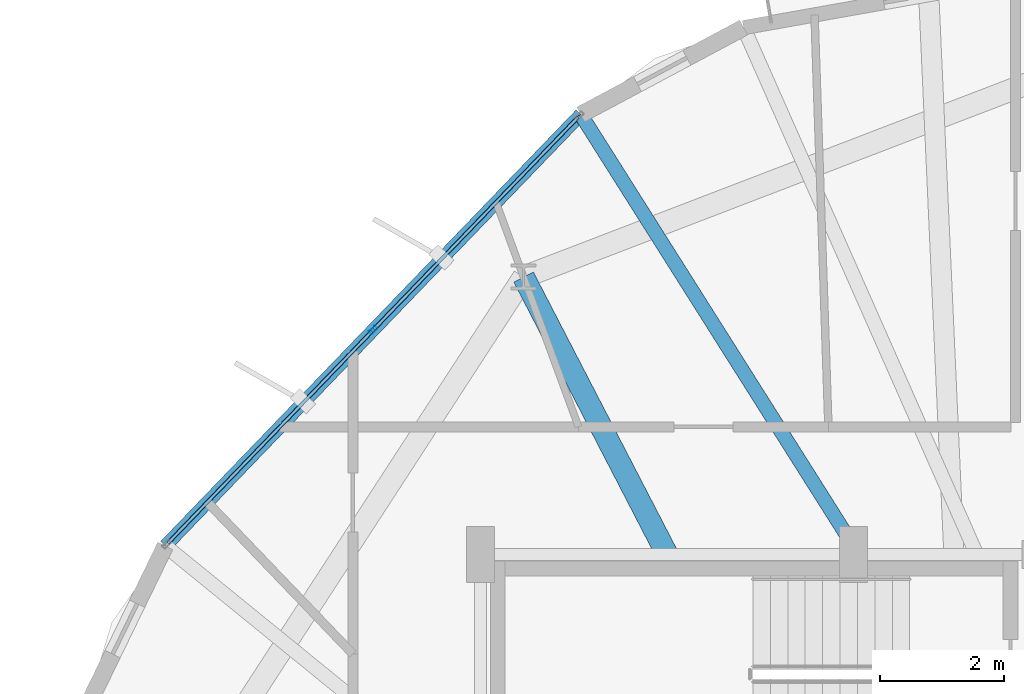
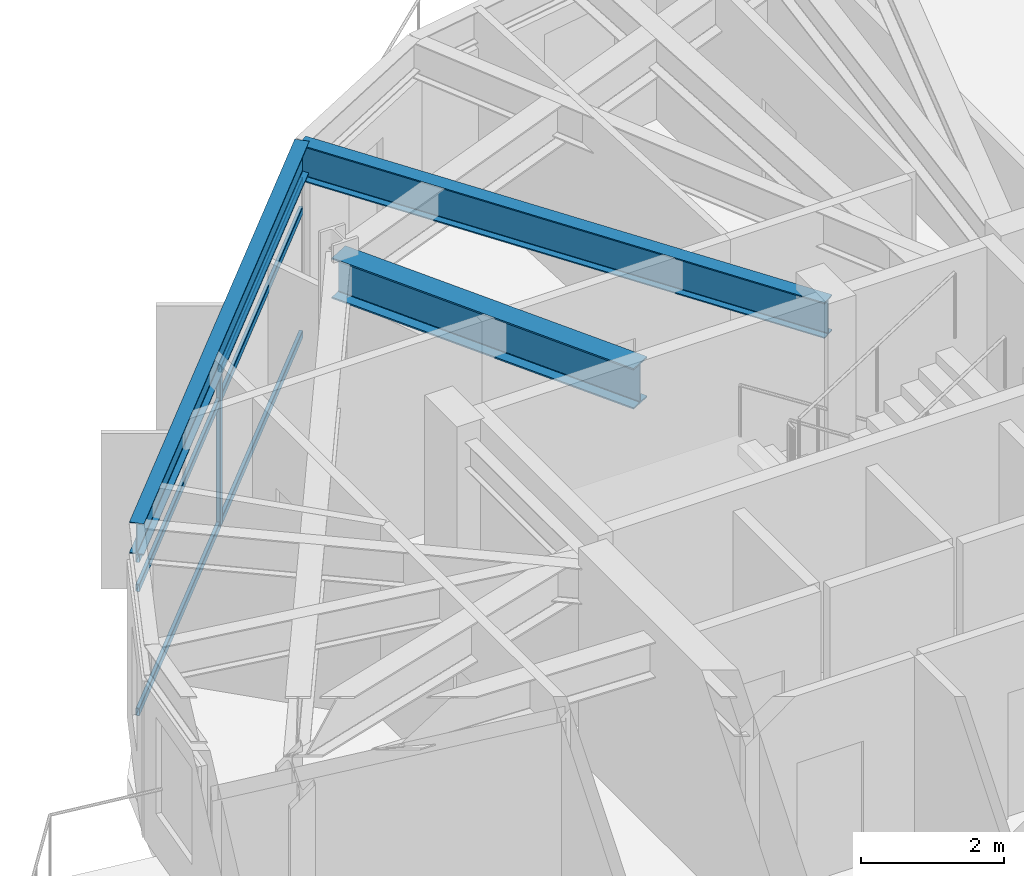
# One storey, part 16 of 28: 7 members, 3 beams, 1 element without a shape of its own.
"""IFC4 building model written with IfcOpenShell, lengths in metres."""

import ifcopenshell
import ifcopenshell.guid

model = None  # the IFC model being written
_history = None  # IfcOwnerHistory: only IFC2X3 demands one
_inside = {}  # id of a spatial element -> (the spatial element, [elements in it])
_under = {}  # id of a project, library or spatial element -> (it, [spatial elements below it])
_declared = {}  # id of a project -> (the project, [libraries it declares])
_typed = {}  # id of a type object -> (the type object, [elements of that type])
_made_of = {}  # id of a material, layer set ... -> (it, [elements and type objects made of it])


def new_model(schema):
    """Start an empty IFC model of exactly this schema.

    Asked for "IFC4X3", IfcOpenShell would pick the latest addendum, in which some entities
    have other attributes; the version numbers below select the first issue.
    IFC2X3 requires an IfcOwnerHistory on every rooted entity: one is made here for all.
    """
    global model, _history
    if schema == "IFC4X3":
        model = ifcopenshell.file(schema_version=(4, 3, 0, 0))
    else:
        model = ifcopenshell.file(schema=schema)
    _inside.clear()
    _under.clear()
    _declared.clear()
    _typed.clear()
    _made_of.clear()
    _history = None
    if model.schema == "IFC2X3":
        org = make("IfcOrganization", Name="unknown")
        user = make(
            "IfcPersonAndOrganization",
            ThePerson=make("IfcPerson", FamilyName="unknown"),
            TheOrganization=org,
        )
        app = make(
            "IfcApplication",
            ApplicationDeveloper=org,
            Version="unknown",
            ApplicationFullName="unknown",
            ApplicationIdentifier="unknown",
        )
        _history = make(
            "IfcOwnerHistory",
            OwningUser=user,
            OwningApplication=app,
            ChangeAction="ADDED",
            CreationDate=0,
        )
    return model


def make(cls, **values):
    """One entity of the class cls with the attributes given. An attribute that is None is left unset."""
    return model.create_entity(
        cls, **{name: value for name, value in values.items() if value is not None}
    )


def rooted(cls, **values):
    """An entity with a GlobalId (a new one), such as an element, a storey or a relation."""
    return make(cls, GlobalId=ifcopenshell.guid.new(), OwnerHistory=_history, **values)


def si_unit(unit_type, name, prefix=None):
    """IfcSIUnit, for example si_unit("LENGTHUNIT", "METRE", prefix="MILLI")."""
    return make("IfcSIUnit", UnitType=unit_type, Prefix=prefix, Name=name)


def assignment(units):
    """IfcUnitAssignment: the units of a project."""
    return None if units is None else make("IfcUnitAssignment", Units=units)


def point(xyz):
    """IfcCartesianPoint."""
    return None if xyz is None else make("IfcCartesianPoint", Coordinates=xyz)


def direction(xyz):
    """IfcDirection."""
    return None if xyz is None else make("IfcDirection", DirectionRatios=xyz)


def frame(location, z_axis=None, x_axis=None):
    """IfcAxis2Placement3D, a coordinate frame: its origin and axes. An axis left out is left unset."""
    return make(
        "IfcAxis2Placement3D",
        Location=point(location),
        Axis=direction(z_axis),
        RefDirection=direction(x_axis),
    )


def frame_2d(location, x_axis=None):
    """IfcAxis2Placement2D, a coordinate frame in the plane: its origin and x axis."""
    return make(
        "IfcAxis2Placement2D", Location=point(location), RefDirection=direction(x_axis)
    )


def origin():
    """The frame at (0, 0, 0) with its axes left unset."""
    return frame((0.0, 0.0, 0.0))


def origin_2d():
    """The frame at (0, 0) in the plane with its x axis left unset."""
    return frame_2d((0.0, 0.0))


def place(relative_to, where):
    """IfcLocalPlacement: puts the frame where relative to a parent placement (None: the world)."""
    return make(
        "IfcLocalPlacement", PlacementRelTo=relative_to, RelativePlacement=where
    )


def context(
    kind, dimensions, precision=None, world=None, true_north=None, identifier=None
):
    """IfcGeometricRepresentationContext, for example the 3D "Model" context."""
    return make(
        "IfcGeometricRepresentationContext",
        ContextIdentifier=identifier,
        ContextType=kind,
        CoordinateSpaceDimension=dimensions,
        Precision=precision,
        WorldCoordinateSystem=world,
        TrueNorth=true_north,
    )


def subcontext(parent, identifier, kind, view, scale=None):
    """IfcGeometricRepresentationSubContext, for example "Body" below "Model"."""
    return make(
        "IfcGeometricRepresentationSubContext",
        ContextIdentifier=identifier,
        ContextType=kind,
        ParentContext=parent,
        TargetScale=scale,
        TargetView=view,
    )


def project(units=None, contexts=None):
    """IfcProject with its units and contexts."""
    return rooted(
        "IfcProject",
        Name="project",
        RepresentationContexts=contexts,
        UnitsInContext=assignment(units),
    )


def spatial(cls, under=None, at=None, **own):
    """A site, building, storey or space (cls), placed at a placement, below another one or the project."""
    s = rooted(cls, ObjectPlacement=at, **own)
    if under is not None:
        _under.setdefault(under.id(), (under, []))[1].append(s)
    return s


def profile(cls, at=None, kind="AREA", **sizes):
    """A parametric profile (cls). Its sizes go by their IFC names, for example OverallWidth=200.0."""
    return make(cls, ProfileType=kind, Position=at, **sizes)


def hollow_rectangle(**sizes):
    """IfcRectangleHollowProfileDef."""
    return profile("IfcRectangleHollowProfileDef", **sizes)


def i_section(**sizes):
    """IfcIShapeProfileDef."""
    return profile("IfcIShapeProfileDef", **sizes)


def extrude(swept, where, along, depth):
    """IfcExtrudedAreaSolid: the profile swept, set in the frame where, extruded along a direction by depth."""
    return make(
        "IfcExtrudedAreaSolid",
        SweptArea=swept,
        Position=where,
        ExtrudedDirection=direction(along),
        Depth=depth,
    )


def shape(context_of_items, identifier, shape_type, items):
    """IfcShapeRepresentation: the items that make up one representation, for example the "Body"."""
    return make(
        "IfcShapeRepresentation",
        ContextOfItems=context_of_items,
        RepresentationIdentifier=identifier,
        RepresentationType=shape_type,
        Items=items,
    )


def material(Name=None, Category=None):
    """IfcMaterial."""
    return make("IfcMaterial", Name=Name, Category=Category)


def layer(
    of_material, thickness, ventilated=None, Name=None, Category=None, Priority=None
):
    """IfcMaterialLayer: one layer of a wall or slab, of a material (None: an air gap)."""
    return make(
        "IfcMaterialLayer",
        Material=of_material,
        LayerThickness=thickness,
        IsVentilated=ventilated,
        Name=Name,
        Category=Category,
        Priority=Priority,
    )


def layer_set(layers, Name=None):
    """IfcMaterialLayerSet."""
    return make("IfcMaterialLayerSet", MaterialLayers=layers, LayerSetName=Name)


def material_profile(
    of_material, cross_section, Name=None, Category=None, Priority=None
):
    """IfcMaterialProfile: a cross section and its material."""
    return make(
        "IfcMaterialProfile",
        Name=Name,
        Material=of_material,
        Profile=cross_section,
        Priority=Priority,
        Category=Category,
    )


def profile_set(profiles, Name=None, composite=None):
    """IfcMaterialProfileSet."""
    return make(
        "IfcMaterialProfileSet",
        Name=Name,
        MaterialProfiles=profiles,
        CompositeProfile=composite,
    )


def made_of(thing, what):
    """Note that an element or type object is made of a material, layer set ...; save() writes the relation."""
    if what is not None:
        _made_of.setdefault(what.id(), (what, []))[1].append(thing)
    return thing


def type_object(cls, material=None, **own):
    """A type object (cls), such as IfcWallType, which elements share."""
    return made_of(rooted(cls, **own), material)


def element(
    cls,
    number,
    at=None,
    inside=None,
    cuts=None,
    type_object=None,
    material=None,
    context=None,
    identifier="Body",
    shape_type=None,
    held_by="IfcProductDefinitionShape",
    body=None,
    shapes=None,
    **own,
):
    """One element of the class cls, such as IfcWall. Its Tag is "e" and its number.

    at: its placement. inside: the storey or other place that contains it. cuts: it is an
    opening in that element (IfcRelVoidsElement). A single representation is given by context,
    identifier, shape_type and body (its items); several are given by shapes. held_by: the class
    of the entity that holds the representations. save() writes the other relations.
    """
    e = rooted(cls, Tag="e%d" % number, ObjectPlacement=at, **own)
    if body is not None:
        shapes = [shape(context, identifier, shape_type, body)]
    if shapes is not None:
        e.Representation = make(held_by, Representations=shapes)
    if inside is not None:
        _inside.setdefault(inside.id(), (inside, []))[1].append(e)
    if cuts is not None:
        rooted(
            "IfcRelVoidsElement", RelatingBuildingElement=cuts, RelatedOpeningElement=e
        )
    if type_object is not None:
        _typed.setdefault(type_object.id(), (type_object, []))[1].append(e)
    return made_of(e, material)


def aggregate(whole, parts):
    """IfcRelAggregates: a whole, such as a stair, and the parts it consists of."""
    return rooted("IfcRelAggregates", RelatingObject=whole, RelatedObjects=parts)


def save(model, path):
    """Write the relations noted so far, then the file.

    IfcRelAggregates (storeys below a building ...), IfcRelContainedInSpatialStructure (elements
    in a storey), IfcRelDefinesByType, IfcRelAssociatesMaterial and IfcRelDeclares: one each for
    every whole, place, type object, material and project.
    """
    for whole, parts in _under.values():
        aggregate(whole, parts)
    for where, things in _inside.values():
        rooted(
            "IfcRelContainedInSpatialStructure",
            RelatedElements=things,
            RelatingStructure=where,
        )
    for kind, things in _typed.values():
        rooted("IfcRelDefinesByType", RelatedObjects=things, RelatingType=kind)
    for what, things in _made_of.values():
        rooted("IfcRelAssociatesMaterial", RelatedObjects=things, RelatingMaterial=what)
    for by, libraries in _declared.values():
        rooted("IfcRelDeclares", RelatingContext=by, RelatedDefinitions=libraries)
    model.write(path)


model = new_model("IFC4")

# Units and contexts
model_context = context("Model", 3, precision=1e-05, world=origin(), true_north=direction((0.0, 1.0)))
body_context = subcontext(model_context, "Body", "Model", "MODEL_VIEW")
ifc_project = project(units=[si_unit("LENGTHUNIT", "METRE"), si_unit("AREAUNIT", "SQUARE_METRE"), si_unit("VOLUMEUNIT", "CUBIC_METRE"), si_unit("PLANEANGLEUNIT", "RADIAN"), si_unit("MASSUNIT", "GRAM", prefix="KILO")], contexts=[model_context])

# Site, building, storey
site_placement = place(None, origin())
site = spatial("IfcSite", under=ifc_project, at=site_placement, CompositionType="ELEMENT")
building_placement = place(site_placement, origin())
building = spatial("IfcBuilding", under=site, at=building_placement, Name="Soratama Intermodal Tower", CompositionType="ELEMENT")
storey_placement = place(building_placement, frame((0.0, 0.0, 205.0)))
storey = spatial("IfcBuildingStorey", under=building, at=storey_placement, Name="L51", CompositionType="ELEMENT", Elevation=205.0)

# Beams
ifc_material_1 = material(Name="Structural steel ASTM A992 Grade 50", Category="steel")
ifc_material_profile_1 = material_profile(ifc_material_1, i_section(OverallWidth=0.35498046875, OverallDepth=0.695068359375, WebThickness=0.015380859375, FlangeThickness=0.02490234375, FilletRadius=0.01611328125, at=origin_2d()), Name="W27X146")
ifc_profile_set_1 = profile_set([ifc_material_profile_1], Name="Structural steel ASTM A992 Grade 50")
beam_type_1 = type_object("IfcBeamType", Name="BM-RING-W27X146", PredefinedType="BEAM", material=ifc_profile_set_1)
beam_1_placement = place(storey_placement, frame((35.60009765625, 35.0, 2.952392578125), z_axis=(-0.459552673174, 0.888150516849, 0.0), x_axis=(-0.888150516849, -0.459552673174, 0.0)))
element("IfcBeam", 1, at=beam_1_placement, inside=storey, type_object=beam_type_1, Name="BM-L51-RAD-04", PredefinedType="BEAM", context=body_context, shape_type="SweptSolid", body=[
    extrude(i_section(OverallWidth=0.35498046875, OverallDepth=0.695068359375, WebThickness=0.015380859375, FlangeThickness=0.02490234375, FilletRadius=0.01611328125, at=origin_2d()), origin(), (0.0, 0.0, 1.0), 5.01611328125),
])
ifc_material_2 = material(Name="Structural steel ASTM A992 Grade 50", Category="steel")
ifc_material_profile_2 = material_profile(ifc_material_2, i_section(OverallWidth=0.2099609375, OverallDepth=0.537109375, WebThickness=0.010986328125, FlangeThickness=0.017333984375, FilletRadius=0.012939453125, at=origin_2d()), Name="W21X68")
ifc_profile_set_2 = profile_set([ifc_material_profile_2], Name="Structural steel ASTM A992 Grade 50")
beam_type_2 = type_object("IfcBeamType", Name="BM-SPN-W21X68", PredefinedType="SPANDREL", material=ifc_profile_set_2)
beam_2_placement = place(storey_placement, frame((34.212890625, 42.069091796875, 3.031494140625), z_axis=(-0.693612438673, -0.720348377466, 0.0), x_axis=(0.720348377466, -0.693612438673, 0.0)))
element("IfcBeam", 2, at=beam_2_placement, inside=storey, type_object=beam_type_2, Name="BS-L51-F03", PredefinedType="SPANDREL", context=body_context, shape_type="SweptSolid", body=[
    extrude(i_section(OverallWidth=0.2099609375, OverallDepth=0.537109375, WebThickness=0.010986328125, FlangeThickness=0.017333984375, FilletRadius=0.012939453125, at=origin_2d()), origin(), (0.0, 0.0, 1.0), 9.624755859375),
])
ifc_material_3 = material(Name="Structural steel ASTM A992 Grade 50", Category="steel")
ifc_material_profile_3 = material_profile(ifc_material_3, i_section(OverallWidth=0.22900390625, OverallDepth=0.612060546875, WebThickness=0.011962890625, FlangeThickness=0.01953125, FilletRadius=0.012939453125, at=origin_2d()), Name="W24X84")
ifc_profile_set_3 = profile_set([ifc_material_profile_3], Name="Structural steel ASTM A992 Grade 50")
beam_type_3 = type_object("IfcBeamType", Name="BM-TIE-W24X84", PredefinedType="BEAM", material=ifc_profile_set_3)
beam_3_placement = place(storey_placement, frame((38.658935546875, 35.033935546875, 2.993896484375), z_axis=(-0.534232477094, 0.845337601446, 0.0), x_axis=(-0.845337601446, -0.534232477094, 0.0)))
element("IfcBeam", 3, at=beam_3_placement, inside=storey, type_object=beam_type_3, Name="BM-L51-TIE0-03", PredefinedType="BEAM", context=body_context, shape_type="SweptSolid", body=[
    extrude(i_section(OverallWidth=0.22900390625, OverallDepth=0.612060546875, WebThickness=0.011962890625, FlangeThickness=0.01953125, FilletRadius=0.012939453125, at=origin_2d()), origin(), (0.0, 0.0, 1.0), 8.322265625),
])

# Curtain wall, members
ifc_material_4 = material(Name="Double-glazed aluminium curtain wall", Category="aluminium")
ifc_layer = layer(ifc_material_4, 0.159912109375)
ifc_layer_set = layer_set([ifc_layer], Name="Double-glazed aluminium curtain wall")
curtain_wall_type = type_object("IfcCurtainWallType", Name="CW-SYS-5", PredefinedType="NOTDEFINED", material=ifc_layer_set)
curtain_wall_placement = place(storey_placement, origin())
curtain_wall = element("IfcCurtainWall", 4, at=curtain_wall_placement, inside=storey, type_object=curtain_wall_type, Name="L51 Faceted Curtain Wall F03", PredefinedType="NOTDEFINED")
ifc_material_5 = material(Name="Anodised aluminium AA 6063-T6", Category="aluminium")
ifc_material_profile_4 = material_profile(ifc_material_5, hollow_rectangle(XDim=0.06494140625, YDim=0.139892578125, WallThickness=0.0048828125, InnerFilletRadius=0.0048828125, OuterFilletRadius=0.010009765625, at=origin_2d()), Name="CWM140X65X5")
ifc_profile_set_4 = profile_set([ifc_material_profile_4], Name="Anodised aluminium AA 6063-T6")
member_type_1 = type_object("IfcMemberType", Name="MT-CWM-5", PredefinedType="MULLION", material=ifc_profile_set_4)
member_1_placement = place(storey_placement, frame((30.874755859375, 38.6025390625, 0.0), z_axis=(0.0, 0.0, 1.0), x_axis=(0.720307138227, -0.693655264969, 0.0)))
member_1 = element("IfcMember", 5, at=member_1_placement, type_object=member_type_1, Name="CW-5 mullion 2", PredefinedType="MULLION", context=body_context, shape_type="SweptSolid", body=[
    extrude(hollow_rectangle(XDim=0.06494140625, YDim=0.139892578125, WallThickness=0.0048828125, InnerFilletRadius=0.0048828125, OuterFilletRadius=0.010009765625, at=origin_2d()), origin(), (0.0, 0.0, 1.0), 2.678955078125),
])
ifc_material_6 = material(Name="Anodised aluminium AA 6063-T6", Category="aluminium")
ifc_material_profile_5 = material_profile(ifc_material_6, hollow_rectangle(XDim=0.06005859375, YDim=0.1298828125, WallThickness=0.0048828125, InnerFilletRadius=0.0048828125, OuterFilletRadius=0.010009765625, at=origin_2d()), Name="CWT130X60X5")
ifc_profile_set_5 = profile_set([ifc_material_profile_5], Name="Anodised aluminium AA 6063-T6")
member_type_2 = type_object("IfcMemberType", Name="TT-CWT-2", PredefinedType="USERDEFINED", material=ifc_profile_set_5)
member_2_placement = place(storey_placement, frame((34.171142578125, 42.025390625, 0.030029296875), z_axis=(-0.693668512081, -0.720294381033, 0.0), x_axis=(0.720294381033, -0.693668512081, 0.0)))
member_2 = element("IfcMember", 6, at=member_2_placement, type_object=member_type_2, Name="CW-5 transom 1.1", ObjectType="TRANSOM", PredefinedType="USERDEFINED", context=body_context, shape_type="SweptSolid", body=[
    extrude(hollow_rectangle(XDim=0.06005859375, YDim=0.1298828125, WallThickness=0.0048828125, InnerFilletRadius=0.0048828125, OuterFilletRadius=0.010009765625, at=origin_2d()), origin(), (0.0, 0.0, 1.0), 4.72216796875),
])
member_3_placement = place(storey_placement, frame((34.171142578125, 42.025390625, 2.14990234375), z_axis=(-0.693668512081, -0.720294381033, 0.0), x_axis=(0.720294381033, -0.693668512081, 0.0)))
member_3 = element("IfcMember", 7, at=member_3_placement, type_object=member_type_2, Name="CW-5 transom 1.2", ObjectType="TRANSOM", PredefinedType="USERDEFINED", context=body_context, shape_type="SweptSolid", body=[
    extrude(hollow_rectangle(XDim=0.06005859375, YDim=0.1298828125, WallThickness=0.0048828125, InnerFilletRadius=0.0048828125, OuterFilletRadius=0.010009765625, at=origin_2d()), origin(), (0.0, 0.0, 1.0), 4.72216796875),
])
member_4_placement = place(storey_placement, frame((34.171142578125, 42.025390625, 2.64892578125), z_axis=(-0.693668512081, -0.720294381033, 0.0), x_axis=(0.720294381033, -0.693668512081, 0.0)))
member_4 = element("IfcMember", 8, at=member_4_placement, type_object=member_type_2, Name="CW-5 transom 1.3", ObjectType="TRANSOM", PredefinedType="USERDEFINED", context=body_context, shape_type="SweptSolid", body=[
    extrude(hollow_rectangle(XDim=0.06005859375, YDim=0.1298828125, WallThickness=0.0048828125, InnerFilletRadius=0.0048828125, OuterFilletRadius=0.010009765625, at=origin_2d()), origin(), (0.0, 0.0, 1.0), 4.72216796875),
])
member_5_placement = place(storey_placement, frame((30.85400390625, 38.580810546875, 0.030029296875), z_axis=(-0.693641687066, -0.720320213491, 0.0), x_axis=(0.720320213491, -0.693641687066, 0.0)))
member_5 = element("IfcMember", 9, at=member_5_placement, type_object=member_type_2, Name="CW-5 transom 2.1", ObjectType="TRANSOM", PredefinedType="USERDEFINED", context=body_context, shape_type="SweptSolid", body=[
    extrude(hollow_rectangle(XDim=0.06005859375, YDim=0.1298828125, WallThickness=0.0048828125, InnerFilletRadius=0.0048828125, OuterFilletRadius=0.010009765625, at=origin_2d()), origin(), (0.0, 0.0, 1.0), 4.721923828125),
])
member_6_placement = place(storey_placement, frame((30.85400390625, 38.580810546875, 2.14990234375), z_axis=(-0.693641687066, -0.720320213491, 0.0), x_axis=(0.720320213491, -0.693641687066, 0.0)))
member_6 = element("IfcMember", 10, at=member_6_placement, type_object=member_type_2, Name="CW-5 transom 2.2", ObjectType="TRANSOM", PredefinedType="USERDEFINED", context=body_context, shape_type="SweptSolid", body=[
    extrude(hollow_rectangle(XDim=0.06005859375, YDim=0.1298828125, WallThickness=0.0048828125, InnerFilletRadius=0.0048828125, OuterFilletRadius=0.010009765625, at=origin_2d()), origin(), (0.0, 0.0, 1.0), 4.721923828125),
])
member_7_placement = place(storey_placement, frame((30.85400390625, 38.580810546875, 2.64892578125), z_axis=(-0.693641687066, -0.720320213491, 0.0), x_axis=(0.720320213491, -0.693641687066, 0.0)))
member_7 = element("IfcMember", 11, at=member_7_placement, type_object=member_type_2, Name="CW-5 transom 2.3", ObjectType="TRANSOM", PredefinedType="USERDEFINED", context=body_context, shape_type="SweptSolid", body=[
    extrude(hollow_rectangle(XDim=0.06005859375, YDim=0.1298828125, WallThickness=0.0048828125, InnerFilletRadius=0.0048828125, OuterFilletRadius=0.010009765625, at=origin_2d()), origin(), (0.0, 0.0, 1.0), 4.721923828125),
])
aggregate(curtain_wall, [member_1, member_2, member_3, member_4, member_5, member_6, member_7])

save(model, "model.ifc")
